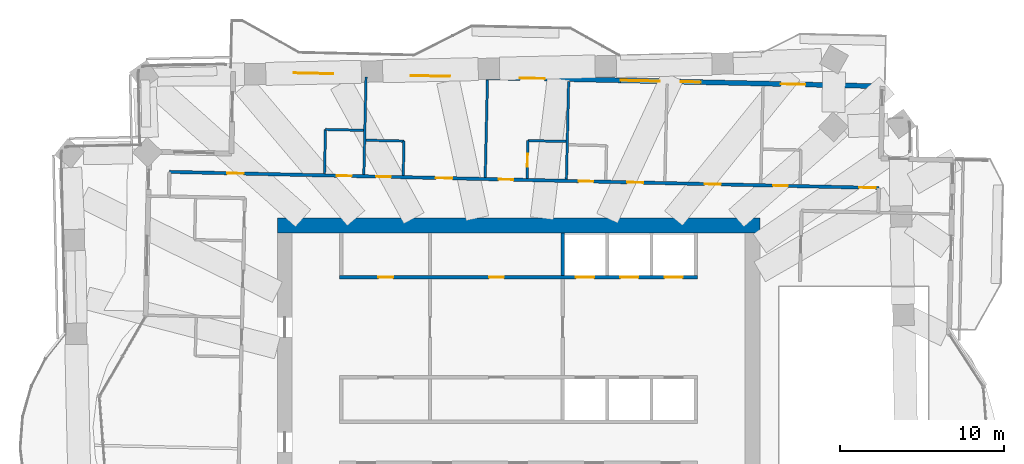
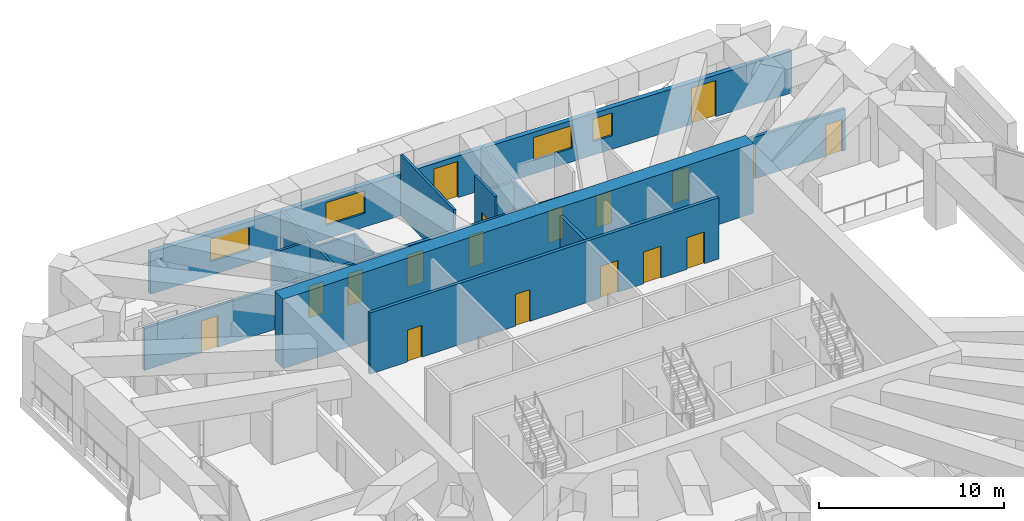
# One storey, part 11 of 17: 18 doors, 14 walls, 4 windows, 22 openings.
"""IFC4 building model written with IfcOpenShell, lengths in metres."""

from ifc_helpers import new_model, si_unit, direction, frame, frame_2d, origin, place, context, subcontext, project, spatial, rectangle, extrude, material, layer, layer_set, type_object, element, fill, save


model = new_model("IFC4")

# Units and contexts
model_context = context("Model", 3, precision=1e-05, world=origin(), true_north=direction((0.0, 1.0)))
body_context = subcontext(model_context, "Body", "Model", "MODEL_VIEW")
ifc_project = project(units=[si_unit("LENGTHUNIT", "METRE"), si_unit("AREAUNIT", "SQUARE_METRE"), si_unit("VOLUMEUNIT", "CUBIC_METRE"), si_unit("PLANEANGLEUNIT", "RADIAN"), si_unit("MASSUNIT", "GRAM", prefix="KILO")], contexts=[model_context])

# Site, building, storey
site_placement = place(None, origin())
site = spatial("IfcSite", under=ifc_project, at=site_placement, CompositionType="ELEMENT")
building_placement = place(site_placement, origin())
building = spatial("IfcBuilding", under=site, at=building_placement, Name="Mangrove Gate Tower", CompositionType="ELEMENT")
storey_placement = place(building_placement, frame((0.0, 0.0, 148.10009765625)))
storey = spatial("IfcBuildingStorey", under=building, at=storey_placement, Name="L37", CompositionType="ELEMENT", Elevation=148.10009765625)

# Wall, openings, doors
ifc_material_1 = material(Name="Concrete C60/75", Category="concrete")
ifc_layer_1 = layer(ifc_material_1, 0.199951171875)
ifc_layer_set_1 = layer_set([ifc_layer_1], Name="Core shaft wall 200 C60/75")
wall_type_1 = type_object("IfcWallType", Name="Core shaft wall 200 C60/75", PredefinedType="SHEAR", material=ifc_layer_set_1)
wall_1_placement = place(storey_placement, frame((-10.89990234375, 8.10009765625, 0.0), z_axis=(0.0, 0.0, 1.0), x_axis=(1.0, 0.0, 0.0)))
wall_1 = element("IfcWall", 1, at=wall_1_placement, inside=storey, type_object=wall_type_1, Name="WALL-L37-CORE-8", PredefinedType="SHEAR", context=body_context, shape_type="SweptSolid", body=[
    extrude(rectangle(XDim=21.7998046875, YDim=0.199951171875, at=frame_2d((10.89990234375, 0.0))), origin(), (0.0, 0.0, 1.0), 4.0498046875),
])
opening_1_placement = place(wall_1_placement, frame((14.39990234375, 0.0, 0.0)))
opening_1 = element("IfcOpeningElement", 2, at=opening_1_placement, cuts=wall_1, Name="Opening LD", PredefinedType="OPENING", context=body_context, shape_type="SweptSolid", body=[
    extrude(rectangle(XDim=1.10009765625, YDim=2.10009765625, at=frame_2d((0.550048828125, 1.050048828125))), frame((0.0, 0.10986328125, 0.0), z_axis=(0.0, -1.0, 0.0), x_axis=(1.0, 0.0, 0.0)), (0.0, 0.0, 1.0), 0.219970703125),
])
opening_2_placement = place(wall_1_placement, frame((17.10009765625, 0.0, 0.0)))
opening_2 = element("IfcOpeningElement", 3, at=opening_2_placement, cuts=wall_1, Name="Opening LD", PredefinedType="OPENING", context=body_context, shape_type="SweptSolid", body=[
    extrude(rectangle(XDim=1.10009765625, YDim=2.10009765625, at=frame_2d((0.550048828125, 1.050048828125))), frame((0.0, 0.10986328125, 0.0), z_axis=(0.0, -1.0, 0.0), x_axis=(1.0, 0.0, 0.0)), (0.0, 0.0, 1.0), 0.219970703125),
])
opening_3_placement = place(wall_1_placement, frame((19.800048828125, 0.0, 0.0)))
opening_3 = element("IfcOpeningElement", 4, at=opening_3_placement, cuts=wall_1, Name="Opening LD", PredefinedType="OPENING", context=body_context, shape_type="SweptSolid", body=[
    extrude(rectangle(XDim=1.10009765625, YDim=2.10009765625, at=frame_2d((0.550048828125, 1.050048828125))), frame((0.0, 0.10986328125, 0.0), z_axis=(0.0, -1.0, 0.0), x_axis=(1.0, 0.0, 0.0)), (0.0, 0.0, 1.0), 0.219970703125),
])
opening_4_placement = place(wall_1_placement, frame((2.35009765625, 0.0, 0.0)))
opening_4 = element("IfcOpeningElement", 5, at=opening_4_placement, cuts=wall_1, Name="Opening KD", PredefinedType="OPENING", context=body_context, shape_type="SweptSolid", body=[
    extrude(rectangle(XDim=0.89990234375, YDim=2.10009765625, at=frame_2d((0.449951171875, 1.050048828125))), frame((0.0, 0.10986328125, 0.0), z_axis=(0.0, -1.0, 0.0), x_axis=(1.0, 0.0, 0.0)), (0.0, 0.0, 1.0), 0.219970703125),
])
opening_5_placement = place(wall_1_placement, frame((9.10009765625, 0.0, 0.0)))
opening_5 = element("IfcOpeningElement", 6, at=opening_5_placement, cuts=wall_1, Name="Opening KD", PredefinedType="OPENING", context=body_context, shape_type="SweptSolid", body=[
    extrude(rectangle(XDim=0.89990234375, YDim=2.10009765625, at=frame_2d((0.449951171875, 1.050048828125))), frame((0.0, 0.10986328125, 0.0), z_axis=(0.0, -1.0, 0.0), x_axis=(1.0, 0.0, 0.0)), (0.0, 0.0, 1.0), 0.219970703125),
])
ifc_material_2 = material(Name="Fire-rated steel door set", Category="steel")
door_type_1 = type_object("IfcDoorType", Name="Core room door FD30S 900x2100", OperationType="SINGLE_SWING_RIGHT", PredefinedType="DOOR", material=ifc_material_2)
door_1_placement = place(opening_4_placement, origin())
door_1 = element("IfcDoor", 7, at=door_1_placement, inside=storey, type_object=door_type_1, Name="Core room door Core WC", OperationType="SINGLE_SWING_RIGHT", OverallHeight=2.10009765625, OverallWidth=0.89990234375, PredefinedType="DOOR", context=body_context, shape_type="SweptSolid", body=[
    extrude(rectangle(XDim=0.89990234375, YDim=2.10009765625, at=frame_2d((0.449951171875, 1.050048828125))), frame((0.0, 0.02490234375, 0.0), z_axis=(0.0, -1.0, 0.0), x_axis=(1.0, 0.0, 0.0)), (0.0, 0.0, 1.0), 0.050048828125),
])
fill(opening_4, door_1)
door_2_placement = place(opening_5_placement, origin())
door_2 = element("IfcDoor", 8, at=door_2_placement, inside=storey, type_object=door_type_1, Name="Core room door Pantry store", OperationType="SINGLE_SWING_RIGHT", OverallHeight=2.10009765625, OverallWidth=0.89990234375, PredefinedType="DOOR", context=body_context, shape_type="SweptSolid", body=[
    extrude(rectangle(XDim=0.89990234375, YDim=2.10009765625, at=frame_2d((0.449951171875, 1.050048828125))), frame((0.0, 0.02490234375, 0.0), z_axis=(0.0, -1.0, 0.0), x_axis=(1.0, 0.0, 0.0)), (0.0, 0.0, 1.0), 0.050048828125),
])
fill(opening_5, door_2)
ifc_material_3 = material(Name="Stainless steel 316", Category="steel")
door_type_2 = type_object("IfcDoorType", Name="Lift landing door 1100x2100", OperationType="SLIDING_TO_LEFT", PredefinedType="DOOR", material=ifc_material_3)
door_3_placement = place(opening_1_placement, origin())
door_3 = element("IfcDoor", 9, at=door_3_placement, inside=storey, type_object=door_type_2, Name="Landing door LD M04", OperationType="SLIDING_TO_LEFT", OverallHeight=2.10009765625, OverallWidth=1.10009765625, PredefinedType="DOOR", context=body_context, shape_type="SweptSolid", body=[
    extrude(rectangle(XDim=1.10009765625, YDim=2.10009765625, at=frame_2d((0.550048828125, 1.050048828125))), frame((0.0, 0.02490234375, 0.0), z_axis=(0.0, -1.0, 0.0), x_axis=(1.0, 0.0, 0.0)), (0.0, 0.0, 1.0), 0.050048828125),
])
fill(opening_1, door_3)
door_4_placement = place(opening_2_placement, origin())
door_4 = element("IfcDoor", 10, at=door_4_placement, inside=storey, type_object=door_type_2, Name="Landing door LD M05", OperationType="SLIDING_TO_LEFT", OverallHeight=2.10009765625, OverallWidth=1.10009765625, PredefinedType="DOOR", context=body_context, shape_type="SweptSolid", body=[
    extrude(rectangle(XDim=1.10009765625, YDim=2.10009765625, at=frame_2d((0.550048828125, 1.050048828125))), frame((0.0, 0.02490234375, 0.0), z_axis=(0.0, -1.0, 0.0), x_axis=(1.0, 0.0, 0.0)), (0.0, 0.0, 1.0), 0.050048828125),
])
fill(opening_2, door_4)
door_5_placement = place(opening_3_placement, origin())
door_5 = element("IfcDoor", 11, at=door_5_placement, inside=storey, type_object=door_type_2, Name="Landing door LD M06", OperationType="SLIDING_TO_LEFT", OverallHeight=2.10009765625, OverallWidth=1.10009765625, PredefinedType="DOOR", context=body_context, shape_type="SweptSolid", body=[
    extrude(rectangle(XDim=1.10009765625, YDim=2.10009765625, at=frame_2d((0.550048828125, 1.050048828125))), frame((0.0, 0.02490234375, 0.0), z_axis=(0.0, -1.0, 0.0), x_axis=(1.0, 0.0, 0.0)), (0.0, 0.0, 1.0), 0.050048828125),
])
fill(opening_3, door_5)

# Walls
wall_2_placement = place(storey_placement, frame((2.699951171875, 8.199951171875, 0.0), z_axis=(0.0, 0.0, 1.0), x_axis=(0.0, 1.0, 0.0)))
element("IfcWall", 12, at=wall_2_placement, inside=storey, type_object=wall_type_1, Name="WALL-L37-CORE-27", PredefinedType="SHEAR", context=body_context, shape_type="SweptSolid", body=[
    extrude(rectangle(XDim=2.60009765625, YDim=0.199951171875, at=frame_2d((1.300048828125, 0.0))), origin(), (0.0, 0.0, 1.0), 4.0498046875),
])
ifc_material_4 = material(Name="Concrete C60/75", Category="concrete")
ifc_layer_2 = layer(ifc_material_4, 0.89990234375)
ifc_layer_set_2 = layer_set([ifc_layer_2], Name="Core wall 900 C60/75")
wall_type_2 = type_object("IfcWallType", Name="Core wall 900 C60/75", PredefinedType="SHEAR", material=ifc_layer_set_2)
wall_3_placement = place(storey_placement, frame((-14.699951171875, 11.25, 0.0), z_axis=(0.0, 0.0, 1.0), x_axis=(1.0, 0.0, 0.0)))
element("IfcWall", 13, at=wall_3_placement, inside=storey, type_object=wall_type_2, Name="WALL-L37-CORE-2", PredefinedType="SHEAR", context=body_context, shape_type="SweptSolid", body=[
    extrude(rectangle(XDim=29.39990234375, YDim=0.89990234375, at=frame_2d((14.699951171875, 0.0))), origin(), (0.0, 0.0, 1.0), 4.599853515625),
])

# Wall, openings, doors
ifc_material_5 = material(Name="Gypsum board on steel stud, EI 60", Category="steel")
ifc_layer_3 = layer(ifc_material_5, 0.199951171875)
ifc_layer_set_3 = layer_set([ifc_layer_3], Name="Corridor wall EI 60")
wall_type_3 = type_object("IfcWallType", Name="Corridor wall EI 60", PredefinedType="PARTITIONING", material=ifc_layer_set_3)
wall_4_placement = place(storey_placement, frame((-21.279052734375, 14.52294921875, 0.0), z_axis=(0.0, 0.0, 1.0), x_axis=(0.999742775939, -0.022679990253, 0.0)))
wall_4 = element("IfcWall", 14, at=wall_4_placement, inside=storey, type_object=wall_type_3, Name="WALL-L37-041", PredefinedType="PARTITIONING", context=body_context, shape_type="SweptSolid", body=[
    extrude(rectangle(XDim=43.252197265625, YDim=0.199951171875, at=frame_2d((21.6259765625, 0.0))), origin(), (0.0, 0.0, 1.0), 2.75),
])
opening_6_placement = place(wall_4_placement, frame((42.052001953125, 0.0, 0.0)))
opening_6 = element("IfcOpeningElement", 15, at=opening_6_placement, cuts=wall_4, Name="Opening AD", PredefinedType="OPENING", context=body_context, shape_type="SweptSolid", body=[
    extrude(rectangle(XDim=1.0, YDim=2.10009765625, at=frame_2d((0.5, 1.050048828125))), frame((0.0, 0.10986328125, 0.0), z_axis=(0.0, -1.0, 0.0), x_axis=(1.0, 0.0, 0.0)), (0.0, 0.0, 1.0), 0.219970703125),
])
opening_7_placement = place(wall_4_placement, frame((36.800048828125, 0.0, 0.0)))
opening_7 = element("IfcOpeningElement", 16, at=opening_7_placement, cuts=wall_4, Name="Opening SD", PredefinedType="OPENING", context=body_context, shape_type="SweptSolid", body=[
    extrude(rectangle(XDim=0.89990234375, YDim=2.10009765625, at=frame_2d((0.449951171875, 1.050048828125))), frame((0.0, 0.10986328125, 0.0), z_axis=(0.0, -1.0, 0.0), x_axis=(1.0, 0.0, 0.0)), (0.0, 0.0, 1.0), 0.219970703125),
])
opening_8_placement = place(wall_4_placement, frame((32.625, 0.0, 0.0)))
opening_8 = element("IfcOpeningElement", 17, at=opening_8_placement, cuts=wall_4, Name="Opening AD", PredefinedType="OPENING", context=body_context, shape_type="SweptSolid", body=[
    extrude(rectangle(XDim=1.0, YDim=2.10009765625, at=frame_2d((0.5, 1.050048828125))), frame((0.0, 0.10986328125, 0.0), z_axis=(0.0, -1.0, 0.0), x_axis=(1.0, 0.0, 0.0)), (0.0, 0.0, 1.0), 0.219970703125),
])
opening_9_placement = place(wall_4_placement, frame((27.89990234375, 0.0, 0.0)))
opening_9 = element("IfcOpeningElement", 18, at=opening_9_placement, cuts=wall_4, Name="Opening AD", PredefinedType="OPENING", context=body_context, shape_type="SweptSolid", body=[
    extrude(rectangle(XDim=1.0, YDim=2.10009765625, at=frame_2d((0.5, 1.050048828125))), frame((0.0, 0.10986328125, 0.0), z_axis=(0.0, -1.0, 0.0), x_axis=(1.0, 0.0, 0.0)), (0.0, 0.0, 1.0), 0.219970703125),
])
opening_10_placement = place(wall_4_placement, frame((24.949951171875, 0.0, 0.0)))
opening_10 = element("IfcOpeningElement", 19, at=opening_10_placement, cuts=wall_4, Name="Opening SD", PredefinedType="OPENING", context=body_context, shape_type="SweptSolid", body=[
    extrude(rectangle(XDim=0.89990234375, YDim=2.10009765625, at=frame_2d((0.449951171875, 1.050048828125))), frame((0.0, 0.10986328125, 0.0), z_axis=(0.0, -1.0, 0.0), x_axis=(1.0, 0.0, 0.0)), (0.0, 0.0, 1.0), 0.219970703125),
])
opening_11_placement = place(wall_4_placement, frame((20.074951171875, 0.0, 0.0)))
opening_11 = element("IfcOpeningElement", 20, at=opening_11_placement, cuts=wall_4, Name="Opening BD", PredefinedType="OPENING", context=body_context, shape_type="SweptSolid", body=[
    extrude(rectangle(XDim=0.89990234375, YDim=2.10009765625, at=frame_2d((0.449951171875, 1.050048828125))), frame((0.0, 0.10986328125, 0.0), z_axis=(0.0, -1.0, 0.0), x_axis=(1.0, 0.0, 0.0)), (0.0, 0.0, 1.0), 0.219970703125),
])
opening_12_placement = place(wall_4_placement, frame((16.25, 0.0, 0.0)))
opening_12 = element("IfcOpeningElement", 21, at=opening_12_placement, cuts=wall_4, Name="Opening AD", PredefinedType="OPENING", context=body_context, shape_type="SweptSolid", body=[
    extrude(rectangle(XDim=1.0, YDim=2.10009765625, at=frame_2d((0.5, 1.050048828125))), frame((0.0, 0.10986328125, 0.0), z_axis=(0.0, -1.0, 0.0), x_axis=(1.0, 0.0, 0.0)), (0.0, 0.0, 1.0), 0.219970703125),
])
opening_13_placement = place(wall_4_placement, frame((12.60009765625, 0.0, 0.0)))
opening_13 = element("IfcOpeningElement", 22, at=opening_13_placement, cuts=wall_4, Name="Opening SD", PredefinedType="OPENING", context=body_context, shape_type="SweptSolid", body=[
    extrude(rectangle(XDim=0.89990234375, YDim=2.10009765625, at=frame_2d((0.449951171875, 1.050048828125))), frame((0.0, 0.10986328125, 0.0), z_axis=(0.0, -1.0, 0.0), x_axis=(1.0, 0.0, 0.0)), (0.0, 0.0, 1.0), 0.219970703125),
])
opening_14_placement = place(wall_4_placement, frame((3.52490234375, 0.0, 0.0)))
opening_14 = element("IfcOpeningElement", 23, at=opening_14_placement, cuts=wall_4, Name="Opening AD", PredefinedType="OPENING", context=body_context, shape_type="SweptSolid", body=[
    extrude(rectangle(XDim=1.0, YDim=2.10009765625, at=frame_2d((0.5, 1.050048828125))), frame((0.0, 0.10986328125, 0.0), z_axis=(0.0, -1.0, 0.0), x_axis=(1.0, 0.0, 0.0)), (0.0, 0.0, 1.0), 0.219970703125),
])
opening_15_placement = place(wall_4_placement, frame((10.199951171875, 0.0, 0.0)))
opening_15 = element("IfcOpeningElement", 24, at=opening_15_placement, cuts=wall_4, Name="Opening SD", PredefinedType="OPENING", context=body_context, shape_type="SweptSolid", body=[
    extrude(rectangle(XDim=0.89990234375, YDim=2.10009765625, at=frame_2d((0.449951171875, 1.050048828125))), frame((0.0, 0.10986328125, 0.0), z_axis=(0.0, -1.0, 0.0), x_axis=(1.0, 0.0, 0.0)), (0.0, 0.0, 1.0), 0.219970703125),
])
ifc_material_6 = material(Name="Timber door leaf", Category="wood")
door_type_3 = type_object("IfcDoorType", Name="Amenity door 1000", OperationType="SINGLE_SWING_LEFT", PredefinedType="DOOR", material=ifc_material_6)
door_6_placement = place(opening_6_placement, origin())
door_6 = element("IfcDoor", 25, at=door_6_placement, inside=storey, type_object=door_type_3, Name="DOOR-L37-GAM-c3b", OperationType="SINGLE_SWING_RIGHT", OverallHeight=2.10009765625, OverallWidth=1.0, PredefinedType="DOOR", context=body_context, shape_type="SweptSolid", body=[
    extrude(rectangle(XDim=1.0, YDim=2.10009765625, at=frame_2d((0.5, 1.050048828125))), frame((0.0, 0.02490234375, 0.0), z_axis=(0.0, -1.0, 0.0), x_axis=(1.0, 0.0, 0.0)), (0.0, 0.0, 1.0), 0.050048828125),
])
fill(opening_6, door_6)
door_7_placement = place(opening_8_placement, origin())
door_7 = element("IfcDoor", 26, at=door_7_placement, inside=storey, type_object=door_type_3, Name="DOOR-L37-KIT-c3c", OperationType="SINGLE_SWING_LEFT", OverallHeight=2.10009765625, OverallWidth=1.0, PredefinedType="DOOR", context=body_context, shape_type="SweptSolid", body=[
    extrude(rectangle(XDim=1.0, YDim=2.10009765625, at=frame_2d((0.5, 1.050048828125))), frame((0.0, 0.02490234375, 0.0), z_axis=(0.0, -1.0, 0.0), x_axis=(1.0, 0.0, 0.0)), (0.0, 0.0, 1.0), 0.050048828125),
])
fill(opening_8, door_7)
door_8_placement = place(opening_9_placement, origin())
door_8 = element("IfcDoor", 27, at=door_8_placement, inside=storey, type_object=door_type_3, Name="DOOR-L37-KIT-c3d", OperationType="SINGLE_SWING_RIGHT", OverallHeight=2.10009765625, OverallWidth=1.0, PredefinedType="DOOR", context=body_context, shape_type="SweptSolid", body=[
    extrude(rectangle(XDim=1.0, YDim=2.10009765625, at=frame_2d((0.5, 1.050048828125))), frame((0.0, 0.02490234375, 0.0), z_axis=(0.0, -1.0, 0.0), x_axis=(1.0, 0.0, 0.0)), (0.0, 0.0, 1.0), 0.050048828125),
])
fill(opening_9, door_8)
door_9_placement = place(opening_12_placement, origin())
door_9 = element("IfcDoor", 28, at=door_9_placement, inside=storey, type_object=door_type_3, Name="DOOR-L37-GAM-c5a", OperationType="SINGLE_SWING_LEFT", OverallHeight=2.10009765625, OverallWidth=1.0, PredefinedType="DOOR", context=body_context, shape_type="SweptSolid", body=[
    extrude(rectangle(XDim=1.0, YDim=2.10009765625, at=frame_2d((0.5, 1.050048828125))), frame((0.0, 0.02490234375, 0.0), z_axis=(0.0, -1.0, 0.0), x_axis=(1.0, 0.0, 0.0)), (0.0, 0.0, 1.0), 0.050048828125),
])
fill(opening_12, door_9)
door_10_placement = place(opening_14_placement, origin())
door_10 = element("IfcDoor", 29, at=door_10_placement, inside=storey, type_object=door_type_3, Name="DOOR-L37-LNG-c5a", OperationType="SINGLE_SWING_RIGHT", OverallHeight=2.10009765625, OverallWidth=1.0, PredefinedType="DOOR", context=body_context, shape_type="SweptSolid", body=[
    extrude(rectangle(XDim=1.0, YDim=2.10009765625, at=frame_2d((0.5, 1.050048828125))), frame((0.0, 0.02490234375, 0.0), z_axis=(0.0, -1.0, 0.0), x_axis=(1.0, 0.0, 0.0)), (0.0, 0.0, 1.0), 0.050048828125),
])
fill(opening_14, door_10)
ifc_material_7 = material(Name="Timber door leaf", Category="wood")
door_type_4 = type_object("IfcDoorType", Name="Bedroom door 900", OperationType="SINGLE_SWING_LEFT", PredefinedType="DOOR", material=ifc_material_7)
door_11_placement = place(opening_11_placement, origin())
door_11 = element("IfcDoor", 30, at=door_11_placement, inside=storey, type_object=door_type_4, Name="DOOR-L37-BED-c302", OperationType="SINGLE_SWING_RIGHT", OverallHeight=2.10009765625, OverallWidth=0.89990234375, PredefinedType="DOOR", context=body_context, shape_type="SweptSolid", body=[
    extrude(rectangle(XDim=0.89990234375, YDim=2.10009765625, at=frame_2d((0.449951171875, 1.050048828125))), frame((0.0, 0.02490234375, 0.0), z_axis=(0.0, -1.0, 0.0), x_axis=(1.0, 0.0, 0.0)), (0.0, 0.0, 1.0), 0.050048828125),
])
fill(opening_11, door_11)
ifc_material_8 = material(Name="Timber door leaf", Category="wood")
door_type_5 = type_object("IfcDoorType", Name="Service room door 900", OperationType="SINGLE_SWING_LEFT", PredefinedType="DOOR", material=ifc_material_8)
door_12_placement = place(opening_7_placement, origin())
door_12 = element("IfcDoor", 31, at=door_12_placement, inside=storey, type_object=door_type_5, Name="DOOR-L37-LIN-c3b", OperationType="SINGLE_SWING_LEFT", OverallHeight=2.10009765625, OverallWidth=0.89990234375, PredefinedType="DOOR", context=body_context, shape_type="SweptSolid", body=[
    extrude(rectangle(XDim=0.89990234375, YDim=2.10009765625, at=frame_2d((0.449951171875, 1.050048828125))), frame((0.0, 0.02490234375, 0.0), z_axis=(0.0, -1.0, 0.0), x_axis=(1.0, 0.0, 0.0)), (0.0, 0.0, 1.0), 0.050048828125),
])
fill(opening_7, door_12)
door_13_placement = place(opening_10_placement, origin())
door_13 = element("IfcDoor", 32, at=door_13_placement, inside=storey, type_object=door_type_5, Name="DOOR-L37-LIN-c3c", OperationType="SINGLE_SWING_RIGHT", OverallHeight=2.10009765625, OverallWidth=0.89990234375, PredefinedType="DOOR", context=body_context, shape_type="SweptSolid", body=[
    extrude(rectangle(XDim=0.89990234375, YDim=2.10009765625, at=frame_2d((0.449951171875, 1.050048828125))), frame((0.0, 0.02490234375, 0.0), z_axis=(0.0, -1.0, 0.0), x_axis=(1.0, 0.0, 0.0)), (0.0, 0.0, 1.0), 0.050048828125),
])
fill(opening_10, door_13)
door_14_placement = place(opening_13_placement, origin())
door_14 = element("IfcDoor", 33, at=door_14_placement, inside=storey, type_object=door_type_5, Name="DOOR-L37-LIN-c5a", OperationType="SINGLE_SWING_LEFT", OverallHeight=2.10009765625, OverallWidth=0.89990234375, PredefinedType="DOOR", context=body_context, shape_type="SweptSolid", body=[
    extrude(rectangle(XDim=0.89990234375, YDim=2.10009765625, at=frame_2d((0.449951171875, 1.050048828125))), frame((0.0, 0.02490234375, 0.0), z_axis=(0.0, -1.0, 0.0), x_axis=(1.0, 0.0, 0.0)), (0.0, 0.0, 1.0), 0.050048828125),
])
fill(opening_13, door_14)
door_15_placement = place(opening_15_placement, origin())
door_15 = element("IfcDoor", 34, at=door_15_placement, inside=storey, type_object=door_type_5, Name="DOOR-L37-WC-c5a", OperationType="SINGLE_SWING_RIGHT", OverallHeight=2.10009765625, OverallWidth=0.89990234375, PredefinedType="DOOR", context=body_context, shape_type="SweptSolid", body=[
    extrude(rectangle(XDim=0.89990234375, YDim=2.10009765625, at=frame_2d((0.449951171875, 1.050048828125))), frame((0.0, 0.02490234375, 0.0), z_axis=(0.0, -1.0, 0.0), x_axis=(1.0, 0.0, 0.0)), (0.0, 0.0, 1.0), 0.050048828125),
])
fill(opening_15, door_15)

# Wall, openings, doors, windows
ifc_material_9 = material(Name="Limestone", Category="masonry")
ifc_layer_4 = layer(ifc_material_9, 0.0400390625, Name="Limestone cladding")
ifc_material_10 = material(Name="Ventilated air gap")
ifc_layer_5 = layer(ifc_material_10, 0.0400390625, Name="Ventilated cavity")
ifc_material_11 = material(Name="Mineral wool insulation")
ifc_layer_6 = layer(ifc_material_11, 0.06005859375, Name="Insulation")
ifc_material_12 = material(Name="Breather membrane")
ifc_layer_7 = layer(ifc_material_12, 0.001953125, Name="Breather membrane")
ifc_material_13 = material(Name="Concrete C20/25 blockwork", Category="masonry")
ifc_layer_8 = layer(ifc_material_13, 0.14990234375, Name="Blockwork backing wall")
ifc_material_14 = material(Name="Gypsum plaster")
ifc_layer_9 = layer(ifc_material_14, 0.008056640625, Name="Internal plaster")
ifc_layer_set_4 = layer_set([ifc_layer_4, ifc_layer_5, ifc_layer_6, ifc_layer_7, ifc_layer_8, ifc_layer_9], Name="External wall 300 limestone cladding")
wall_type_4 = type_object("IfcWallType", Name="External wall 300 limestone cladding", PredefinedType="SOLIDWALL", material=ifc_layer_set_4)
wall_5_placement = place(storey_placement, frame((22.180908203125, 19.739013671875, 0.0), z_axis=(0.0, 0.0, 1.0), x_axis=(-0.999742618326, 0.022686936846, 0.0)))
wall_5 = element("IfcWall", 35, at=wall_5_placement, inside=storey, type_object=wall_type_4, Name="WALL-L37-N5", PredefinedType="SOLIDWALL", context=body_context, shape_type="SweptSolid", body=[
    extrude(rectangle(XDim=39.580078125, YDim=0.300048828125, at=frame_2d((19.7900390625, 0.0))), origin(), (0.0, 0.0, 1.0), 2.75),
])
opening_16_placement = place(wall_5_placement, frame((4.699951171875, 0.0, 0.0)))
opening_16 = element("IfcOpeningElement", 36, at=opening_16_placement, cuts=wall_5, Name="Opening BD1", PredefinedType="OPENING", context=body_context, shape_type="SweptSolid", body=[
    extrude(rectangle(XDim=1.5, YDim=2.39990234375, at=frame_2d((0.75, 1.199951171875))), frame((0.0, 0.159912109375, 0.0), z_axis=(0.0, -1.0, 0.0), x_axis=(1.0, 0.0, 0.0)), (0.0, 0.0, 1.0), 0.320068359375),
])
opening_17_placement = place(wall_5_placement, frame((11.092041015625, 0.0, 0.89990234375)))
opening_17 = element("IfcOpeningElement", 37, at=opening_17_placement, cuts=wall_5, Name="Opening W1", PredefinedType="OPENING", context=body_context, shape_type="SweptSolid", body=[
    extrude(rectangle(XDim=1.199951171875, YDim=1.5, at=frame_2d((0.60009765625, 0.75))), frame((0.0, 0.159912109375, 0.0), z_axis=(0.0, -1.0, 0.0), x_axis=(1.0, 0.0, 0.0)), (0.0, 0.0, 1.0), 0.320068359375),
])
opening_18_placement = place(wall_5_placement, frame((13.571044921875, 0.0, 0.89990234375)))
opening_18 = element("IfcOpeningElement", 38, at=opening_18_placement, cuts=wall_5, Name="Opening W2", PredefinedType="OPENING", context=body_context, shape_type="SweptSolid", body=[
    extrude(rectangle(XDim=2.39990234375, YDim=1.5, at=frame_2d((1.199951171875, 0.75))), frame((0.0, 0.159912109375, 0.0), z_axis=(0.0, -1.0, 0.0), x_axis=(1.0, 0.0, 0.0)), (0.0, 0.0, 1.0), 0.320068359375),
])
opening_19_placement = place(wall_5_placement, frame((20.60400390625, 0.0, 0.0)))
opening_19 = element("IfcOpeningElement", 39, at=opening_19_placement, cuts=wall_5, Name="Opening BD1", PredefinedType="OPENING", context=body_context, shape_type="SweptSolid", body=[
    extrude(rectangle(XDim=1.5, YDim=2.39990234375, at=frame_2d((0.75, 1.199951171875))), frame((0.0, 0.159912109375, 0.0), z_axis=(0.0, -1.0, 0.0), x_axis=(1.0, 0.0, 0.0)), (0.0, 0.0, 1.0), 0.320068359375),
])
opening_20_placement = place(wall_5_placement, frame((26.365966796875, 0.0, 0.89990234375)))
opening_20 = element("IfcOpeningElement", 40, at=opening_20_placement, cuts=wall_5, Name="Opening W2", PredefinedType="OPENING", context=body_context, shape_type="SweptSolid", body=[
    extrude(rectangle(XDim=2.39990234375, YDim=1.5, at=frame_2d((1.199951171875, 0.75))), frame((0.0, 0.159912109375, 0.0), z_axis=(0.0, -1.0, 0.0), x_axis=(1.0, 0.0, 0.0)), (0.0, 0.0, 1.0), 0.320068359375),
])
opening_21_placement = place(wall_5_placement, frame((33.48193359375, 0.0, 0.89990234375)))
opening_21 = element("IfcOpeningElement", 41, at=opening_21_placement, cuts=wall_5, Name="Opening W2", PredefinedType="OPENING", context=body_context, shape_type="SweptSolid", body=[
    extrude(rectangle(XDim=2.39990234375, YDim=1.5, at=frame_2d((1.199951171875, 0.75))), frame((0.0, 0.159912109375, 0.0), z_axis=(0.0, -1.0, 0.0), x_axis=(1.0, 0.0, 0.0)), (0.0, 0.0, 1.0), 0.320068359375),
])
ifc_material_15 = material(Name="Aluminium frame with laminated clear glass", Category="aluminium")
door_type_6 = type_object("IfcDoorType", Name="Balcony sliding door 1500x2400", OperationType="SLIDING_TO_LEFT", PredefinedType="DOOR", material=ifc_material_15)
door_16_placement = place(opening_16_placement, origin())
door_16 = element("IfcDoor", 42, at=door_16_placement, inside=storey, type_object=door_type_6, Name="DOOR-L37-N5-1", OperationType="SLIDING_TO_LEFT", OverallHeight=2.39990234375, OverallWidth=1.5, PredefinedType="DOOR", context=body_context, shape_type="SweptSolid", body=[
    extrude(rectangle(XDim=1.5, YDim=2.39990234375, at=frame_2d((0.75, 1.199951171875))), frame((0.0, 0.02490234375, 0.0), z_axis=(0.0, -1.0, 0.0), x_axis=(1.0, 0.0, 0.0)), (0.0, 0.0, 1.0), 0.050048828125),
])
fill(opening_16, door_16)
door_17_placement = place(opening_19_placement, origin())
door_17 = element("IfcDoor", 43, at=door_17_placement, inside=storey, type_object=door_type_6, Name="DOOR-L37-N5-4", OperationType="SLIDING_TO_LEFT", OverallHeight=2.39990234375, OverallWidth=1.5, PredefinedType="DOOR", context=body_context, shape_type="SweptSolid", body=[
    extrude(rectangle(XDim=1.5, YDim=2.39990234375, at=frame_2d((0.75, 1.199951171875))), frame((0.0, 0.02490234375, 0.0), z_axis=(0.0, -1.0, 0.0), x_axis=(1.0, 0.0, 0.0)), (0.0, 0.0, 1.0), 0.050048828125),
])
fill(opening_19, door_17)
ifc_material_16 = material(Name="Aluminium frame with double-glazed low-e glass", Category="aluminium")
window_type_1 = type_object("IfcWindowType", Name="Corner room window 2400x1500", PartitioningType="DOUBLE_PANEL_VERTICAL", PredefinedType="WINDOW", material=ifc_material_16)
window_1_placement = place(opening_18_placement, origin())
window_1 = element("IfcWindow", 44, at=window_1_placement, inside=storey, type_object=window_type_1, Name="WIN-L37-N5-3", OverallHeight=1.5, OverallWidth=2.39990234375, PartitioningType="DOUBLE_PANEL_VERTICAL", PredefinedType="WINDOW", context=body_context, shape_type="SweptSolid", body=[
    extrude(rectangle(XDim=2.39990234375, YDim=1.5, at=frame_2d((1.199951171875, 0.75))), frame((0.0, 0.030029296875, 0.0), z_axis=(0.0, -1.0, 0.0), x_axis=(1.0, 0.0, 0.0)), (0.0, 0.0, 1.0), 0.06005859375),
])
fill(opening_18, window_1)
window_2_placement = place(opening_20_placement, origin())
window_2 = element("IfcWindow", 45, at=window_2_placement, inside=storey, type_object=window_type_1, Name="WIN-L37-N5-5", OverallHeight=1.5, OverallWidth=2.39990234375, PartitioningType="DOUBLE_PANEL_VERTICAL", PredefinedType="WINDOW", context=body_context, shape_type="SweptSolid", body=[
    extrude(rectangle(XDim=2.39990234375, YDim=1.5, at=frame_2d((1.199951171875, 0.75))), frame((0.0, 0.030029296875, 0.0), z_axis=(0.0, -1.0, 0.0), x_axis=(1.0, 0.0, 0.0)), (0.0, 0.0, 1.0), 0.06005859375),
])
fill(opening_20, window_2)
window_3_placement = place(opening_21_placement, origin())
window_3 = element("IfcWindow", 46, at=window_3_placement, inside=storey, type_object=window_type_1, Name="WIN-L37-N5-6", OverallHeight=1.5, OverallWidth=2.39990234375, PartitioningType="DOUBLE_PANEL_VERTICAL", PredefinedType="WINDOW", context=body_context, shape_type="SweptSolid", body=[
    extrude(rectangle(XDim=2.39990234375, YDim=1.5, at=frame_2d((1.199951171875, 0.75))), frame((0.0, 0.030029296875, 0.0), z_axis=(0.0, -1.0, 0.0), x_axis=(1.0, 0.0, 0.0)), (0.0, 0.0, 1.0), 0.06005859375),
])
fill(opening_21, window_3)
ifc_material_17 = material(Name="Aluminium frame with double-glazed low-e glass", Category="aluminium")
window_type_2 = type_object("IfcWindowType", Name="Side lite 1200x1500", PartitioningType="SINGLE_PANEL", PredefinedType="WINDOW", material=ifc_material_17)
window_4_placement = place(opening_17_placement, origin())
window_4 = element("IfcWindow", 47, at=window_4_placement, inside=storey, type_object=window_type_2, Name="WIN-L37-N5-2", OverallHeight=1.5, OverallWidth=1.199951171875, PartitioningType="SINGLE_PANEL", PredefinedType="WINDOW", context=body_context, shape_type="SweptSolid", body=[
    extrude(rectangle(XDim=1.199951171875, YDim=1.5, at=frame_2d((0.60009765625, 0.75))), frame((0.0, 0.030029296875, 0.0), z_axis=(0.0, -1.0, 0.0), x_axis=(1.0, 0.0, 0.0)), (0.0, 0.0, 1.0), 0.06005859375),
])
fill(opening_17, window_4)

# Walls
ifc_material_18 = material(Name="Gypsum board on steel stud, EI 60", Category="steel")
ifc_layer_10 = layer(ifc_material_18, 0.14990234375)
ifc_layer_set_5 = layer_set([ifc_layer_10], Name="Party wall 150 EI 60")
wall_type_5 = type_object("IfcWallType", Name="Party wall 150 EI 60", PredefinedType="PARTITIONING", material=ifc_layer_set_5)
wall_6_placement = place(storey_placement, frame((-11.8291015625, 14.408935546875, 0.0), z_axis=(0.0, 0.0, 1.0), x_axis=(0.02260842146, 0.999744396973, 0.0)))
element("IfcWall", 48, at=wall_6_placement, inside=storey, type_object=wall_type_5, Name="WALL-L37-042", PredefinedType="PARTITIONING", context=body_context, shape_type="SweptSolid", body=[
    extrude(rectangle(XDim=2.69970703125, YDim=0.14990234375, at=frame_2d((1.349853515625, 0.0))), origin(), (0.0, 0.0, 1.0), 2.849853515625),
])
wall_7_placement = place(storey_placement, frame((-9.429931640625, 14.35400390625, 0.0), z_axis=(0.0, 0.0, 1.0), x_axis=(0.022688785847, 0.999742576365, 0.0)))
element("IfcWall", 49, at=wall_7_placement, inside=storey, type_object=wall_type_5, Name="WALL-L37-043", PredefinedType="PARTITIONING", context=body_context, shape_type="SweptSolid", body=[
    extrude(rectangle(XDim=5.950439453125, YDim=0.14990234375, at=frame_2d((2.97509765625, 0.0))), origin(), (0.0, 0.0, 1.0), 2.849853515625),
])
wall_8_placement = place(storey_placement, frame((-7.030029296875, 14.300048828125, 0.0), z_axis=(0.0, 0.0, 1.0), x_axis=(0.022444036695, 0.999748100882, 0.0)))
element("IfcWall", 50, at=wall_8_placement, inside=storey, type_object=wall_type_5, Name="WALL-L37-044", PredefinedType="PARTITIONING", context=body_context, shape_type="SweptSolid", body=[
    extrude(rectangle(XDim=2.099365234375, YDim=0.14990234375, at=frame_2d((1.0498046875, 0.0))), origin(), (0.0, 0.0, 1.0), 2.849853515625),
])
wall_9_placement = place(storey_placement, frame((-2.031982421875, 14.18603515625, 0.0), z_axis=(0.0, 0.0, 1.0), x_axis=(0.022688785847, 0.999742576365, 0.0)))
element("IfcWall", 51, at=wall_9_placement, inside=storey, type_object=wall_type_5, Name="WALL-L37-045", PredefinedType="PARTITIONING", context=body_context, shape_type="SweptSolid", body=[
    extrude(rectangle(XDim=5.950439453125, YDim=0.14990234375, at=frame_2d((2.97509765625, 0.0))), origin(), (0.0, 0.0, 1.0), 4.0498046875),
])

# Wall, opening, door
wall_10_placement = place(storey_placement, frame((0.51806640625, 14.12890625, 0.0), z_axis=(0.0, 0.0, 1.0), x_axis=(0.022612884682, 0.999744296031, 0.0)))
wall_10 = element("IfcWall", 52, at=wall_10_placement, inside=storey, type_object=wall_type_5, Name="WALL-L37-046", PredefinedType="PARTITIONING", context=body_context, shape_type="SweptSolid", body=[
    extrude(rectangle(XDim=2.299560546875, YDim=0.14990234375, at=frame_2d((1.14990234375, 0.0))), origin(), (0.0, 0.0, 1.0), 4.0498046875),
])
opening_22_placement = place(wall_10_placement, frame((0.699951171875, 0.0, 0.0)))
opening_22 = element("IfcOpeningElement", 53, at=opening_22_placement, cuts=wall_10, Name="Opening ED", PredefinedType="OPENING", context=body_context, shape_type="SweptSolid", body=[
    extrude(rectangle(XDim=0.800048828125, YDim=2.10009765625, at=frame_2d((0.39990234375, 1.050048828125))), frame((0.0, 0.0849609375, 0.0), z_axis=(0.0, -1.0, 0.0), x_axis=(1.0, 0.0, 0.0)), (0.0, 0.0, 1.0), 0.169921875),
])
ifc_material_19 = material(Name="Timber door leaf", Category="wood")
door_type_7 = type_object("IfcDoorType", Name="En-suite door 800", OperationType="SINGLE_SWING_LEFT", PredefinedType="DOOR", material=ifc_material_19)
door_18_placement = place(opening_22_placement, origin())
door_18 = element("IfcDoor", 54, at=door_18_placement, inside=storey, type_object=door_type_7, Name="DOOR-L37-ENS-c302", OperationType="SINGLE_SWING_RIGHT", OverallHeight=2.10009765625, OverallWidth=0.800048828125, PredefinedType="DOOR", context=body_context, shape_type="SweptSolid", body=[
    extrude(rectangle(XDim=0.800048828125, YDim=2.10009765625, at=frame_2d((0.39990234375, 1.050048828125))), frame((0.0, 0.02490234375, 0.0), z_axis=(0.0, -1.0, 0.0), x_axis=(1.0, 0.0, 0.0)), (0.0, 0.0, 1.0), 0.050048828125),
])
fill(opening_22, door_18)

# Walls
wall_11_placement = place(storey_placement, frame((2.9169921875, 14.073974609375, 0.0), z_axis=(0.0, 0.0, 1.0), x_axis=(0.022688785847, 0.999742576365, 0.0)))
element("IfcWall", 55, at=wall_11_placement, inside=storey, type_object=wall_type_5, Name="WALL-L37-047", PredefinedType="PARTITIONING", context=body_context, shape_type="SweptSolid", body=[
    extrude(rectangle(XDim=5.950439453125, YDim=0.14990234375, at=frame_2d((2.97509765625, 0.0))), origin(), (0.0, 0.0, 1.0), 2.849853515625),
])
for number, where, z_axis, x_axis, name in (
    (56, (-9.306884765625, 16.451904296875, 0.0), (0.0, 0.0, 1.0), (0.999740260747, -0.02279059109, 0.0), "WALL-L37-052"),
    (57, (0.570068359375, 16.427978515625, 0.0), (0.0, 0.0, 1.0), (0.999740260747, -0.02279059109, 0.0), "WALL-L37-055"),
):
    element("IfcWall", number, at=place(storey_placement, frame(where, z_axis=z_axis, x_axis=x_axis)), inside=storey, type_object=wall_type_5, Name=name, PredefinedType="PARTITIONING", context=body_context, shape_type="SweptSolid", body=[
        extrude(rectangle(XDim=2.324462890625, YDim=0.14990234375, at=frame_2d((1.162109375, 0.0))), origin(), (0.0, 0.0, 1.0), 2.849853515625),
    ])
wall_12_placement = place(storey_placement, frame((-11.76806640625, 17.10791015625, 0.0), z_axis=(0.0, 0.0, 1.0), x_axis=(0.999740478815, -0.022781023197, 0.0)))
element("IfcWall", 58, at=wall_12_placement, inside=storey, type_object=wall_type_5, Name="WALL-L37-056", PredefinedType="PARTITIONING", context=body_context, shape_type="SweptSolid", body=[
    extrude(rectangle(XDim=2.325439453125, YDim=0.14990234375, at=frame_2d((1.16259765625, 0.0))), origin(), (0.0, 0.0, 1.0), 2.849853515625),
])

save(model, "model.ifc")
